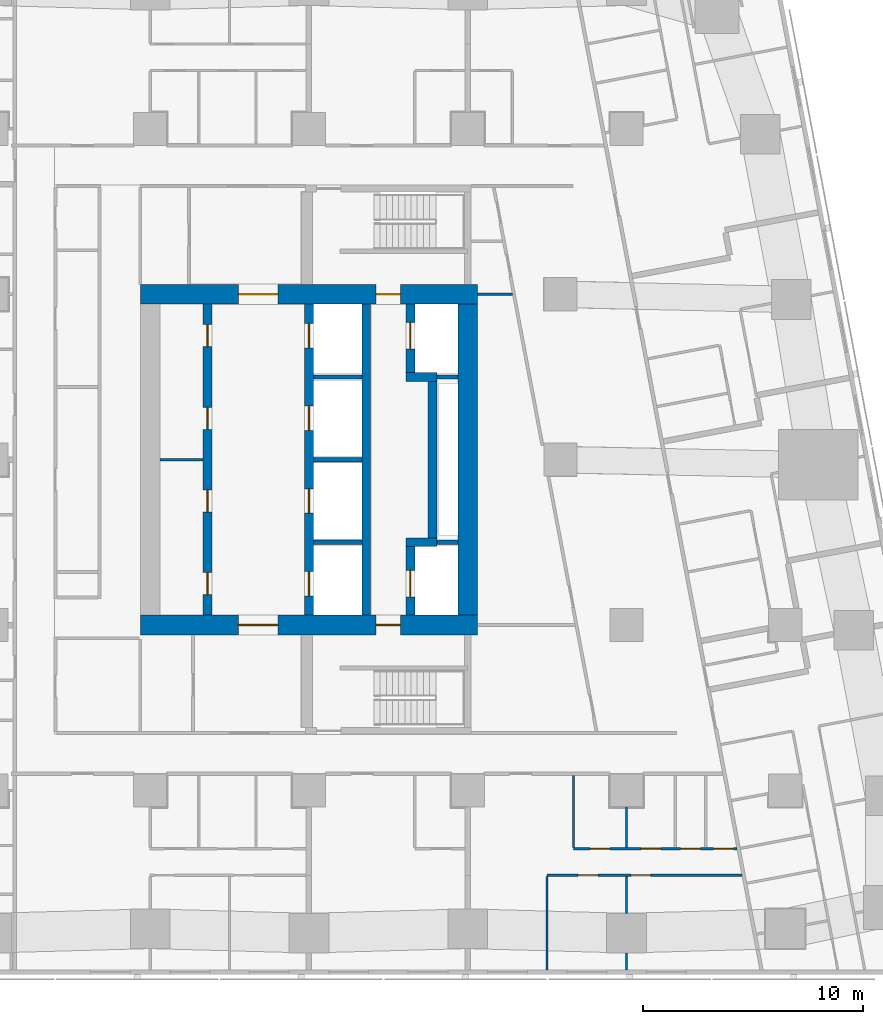
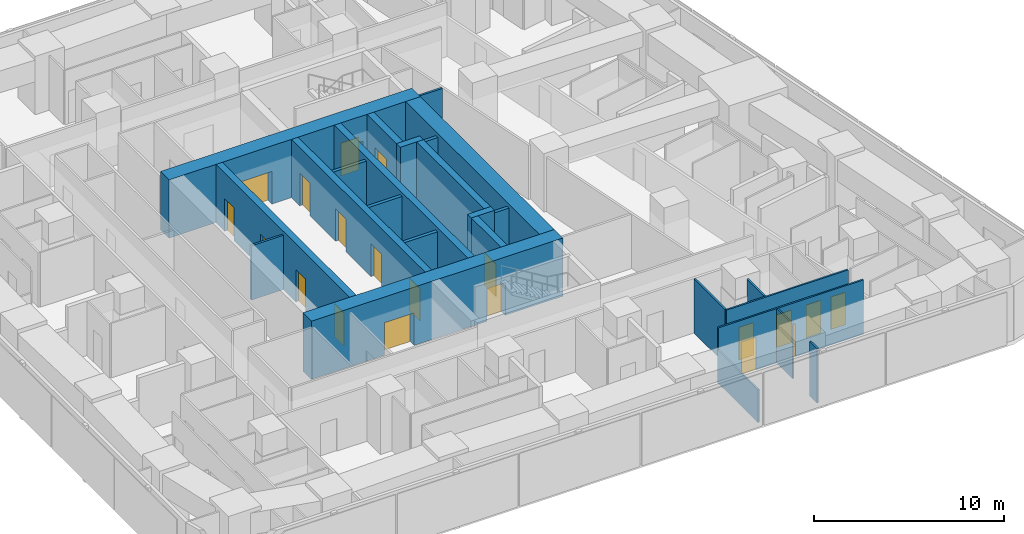
# One storey, part 5 of 15: 25 walls, 20 doors, 20 openings.
"""IFC4 building model written with IfcOpenShell, lengths in metres."""

import ifcopenshell
import ifcopenshell.guid

model = None  # the IFC model being written
_history = None  # IfcOwnerHistory: only IFC2X3 demands one
_inside = {}  # id of a spatial element -> (the spatial element, [elements in it])
_under = {}  # id of a project, library or spatial element -> (it, [spatial elements below it])
_declared = {}  # id of a project -> (the project, [libraries it declares])
_typed = {}  # id of a type object -> (the type object, [elements of that type])
_made_of = {}  # id of a material, layer set ... -> (it, [elements and type objects made of it])


def new_model(schema):
    """Start an empty IFC model of exactly this schema.

    Asked for "IFC4X3", IfcOpenShell would pick the latest addendum, in which some entities
    have other attributes; the version numbers below select the first issue.
    IFC2X3 requires an IfcOwnerHistory on every rooted entity: one is made here for all.
    """
    global model, _history
    if schema == "IFC4X3":
        model = ifcopenshell.file(schema_version=(4, 3, 0, 0))
    else:
        model = ifcopenshell.file(schema=schema)
    _inside.clear()
    _under.clear()
    _declared.clear()
    _typed.clear()
    _made_of.clear()
    _history = None
    if model.schema == "IFC2X3":
        org = make("IfcOrganization", Name="unknown")
        user = make(
            "IfcPersonAndOrganization",
            ThePerson=make("IfcPerson", FamilyName="unknown"),
            TheOrganization=org,
        )
        app = make(
            "IfcApplication",
            ApplicationDeveloper=org,
            Version="unknown",
            ApplicationFullName="unknown",
            ApplicationIdentifier="unknown",
        )
        _history = make(
            "IfcOwnerHistory",
            OwningUser=user,
            OwningApplication=app,
            ChangeAction="ADDED",
            CreationDate=0,
        )
    return model


def make(cls, **values):
    """One entity of the class cls with the attributes given. An attribute that is None is left unset."""
    return model.create_entity(
        cls, **{name: value for name, value in values.items() if value is not None}
    )


def rooted(cls, **values):
    """An entity with a GlobalId (a new one), such as an element, a storey or a relation."""
    return make(cls, GlobalId=ifcopenshell.guid.new(), OwnerHistory=_history, **values)


def si_unit(unit_type, name, prefix=None):
    """IfcSIUnit, for example si_unit("LENGTHUNIT", "METRE", prefix="MILLI")."""
    return make("IfcSIUnit", UnitType=unit_type, Prefix=prefix, Name=name)


def assignment(units):
    """IfcUnitAssignment: the units of a project."""
    return None if units is None else make("IfcUnitAssignment", Units=units)


def point(xyz):
    """IfcCartesianPoint."""
    return None if xyz is None else make("IfcCartesianPoint", Coordinates=xyz)


def direction(xyz):
    """IfcDirection."""
    return None if xyz is None else make("IfcDirection", DirectionRatios=xyz)


def frame(location, z_axis=None, x_axis=None):
    """IfcAxis2Placement3D, a coordinate frame: its origin and axes. An axis left out is left unset."""
    return make(
        "IfcAxis2Placement3D",
        Location=point(location),
        Axis=direction(z_axis),
        RefDirection=direction(x_axis),
    )


def frame_2d(location, x_axis=None):
    """IfcAxis2Placement2D, a coordinate frame in the plane: its origin and x axis."""
    return make(
        "IfcAxis2Placement2D", Location=point(location), RefDirection=direction(x_axis)
    )


def origin():
    """The frame at (0, 0, 0) with its axes left unset."""
    return frame((0.0, 0.0, 0.0))


def place(relative_to, where):
    """IfcLocalPlacement: puts the frame where relative to a parent placement (None: the world)."""
    return make(
        "IfcLocalPlacement", PlacementRelTo=relative_to, RelativePlacement=where
    )


def context(
    kind, dimensions, precision=None, world=None, true_north=None, identifier=None
):
    """IfcGeometricRepresentationContext, for example the 3D "Model" context."""
    return make(
        "IfcGeometricRepresentationContext",
        ContextIdentifier=identifier,
        ContextType=kind,
        CoordinateSpaceDimension=dimensions,
        Precision=precision,
        WorldCoordinateSystem=world,
        TrueNorth=true_north,
    )


def subcontext(parent, identifier, kind, view, scale=None):
    """IfcGeometricRepresentationSubContext, for example "Body" below "Model"."""
    return make(
        "IfcGeometricRepresentationSubContext",
        ContextIdentifier=identifier,
        ContextType=kind,
        ParentContext=parent,
        TargetScale=scale,
        TargetView=view,
    )


def project(units=None, contexts=None):
    """IfcProject with its units and contexts."""
    return rooted(
        "IfcProject",
        Name="project",
        RepresentationContexts=contexts,
        UnitsInContext=assignment(units),
    )


def spatial(cls, under=None, at=None, **own):
    """A site, building, storey or space (cls), placed at a placement, below another one or the project."""
    s = rooted(cls, ObjectPlacement=at, **own)
    if under is not None:
        _under.setdefault(under.id(), (under, []))[1].append(s)
    return s


def profile(cls, at=None, kind="AREA", **sizes):
    """A parametric profile (cls). Its sizes go by their IFC names, for example OverallWidth=200.0."""
    return make(cls, ProfileType=kind, Position=at, **sizes)


def rectangle(**sizes):
    """IfcRectangleProfileDef."""
    return profile("IfcRectangleProfileDef", **sizes)


def extrude(swept, where, along, depth):
    """IfcExtrudedAreaSolid: the profile swept, set in the frame where, extruded along a direction by depth."""
    return make(
        "IfcExtrudedAreaSolid",
        SweptArea=swept,
        Position=where,
        ExtrudedDirection=direction(along),
        Depth=depth,
    )


def shape(context_of_items, identifier, shape_type, items):
    """IfcShapeRepresentation: the items that make up one representation, for example the "Body"."""
    return make(
        "IfcShapeRepresentation",
        ContextOfItems=context_of_items,
        RepresentationIdentifier=identifier,
        RepresentationType=shape_type,
        Items=items,
    )


def material(Name=None, Category=None):
    """IfcMaterial."""
    return make("IfcMaterial", Name=Name, Category=Category)


def layer(
    of_material, thickness, ventilated=None, Name=None, Category=None, Priority=None
):
    """IfcMaterialLayer: one layer of a wall or slab, of a material (None: an air gap)."""
    return make(
        "IfcMaterialLayer",
        Material=of_material,
        LayerThickness=thickness,
        IsVentilated=ventilated,
        Name=Name,
        Category=Category,
        Priority=Priority,
    )


def layer_set(layers, Name=None):
    """IfcMaterialLayerSet."""
    return make("IfcMaterialLayerSet", MaterialLayers=layers, LayerSetName=Name)


def made_of(thing, what):
    """Note that an element or type object is made of a material, layer set ...; save() writes the relation."""
    if what is not None:
        _made_of.setdefault(what.id(), (what, []))[1].append(thing)
    return thing


def type_object(cls, material=None, **own):
    """A type object (cls), such as IfcWallType, which elements share."""
    return made_of(rooted(cls, **own), material)


def element(
    cls,
    number,
    at=None,
    inside=None,
    cuts=None,
    type_object=None,
    material=None,
    context=None,
    identifier="Body",
    shape_type=None,
    held_by="IfcProductDefinitionShape",
    body=None,
    shapes=None,
    **own,
):
    """One element of the class cls, such as IfcWall. Its Tag is "e" and its number.

    at: its placement. inside: the storey or other place that contains it. cuts: it is an
    opening in that element (IfcRelVoidsElement). A single representation is given by context,
    identifier, shape_type and body (its items); several are given by shapes. held_by: the class
    of the entity that holds the representations. save() writes the other relations.
    """
    e = rooted(cls, Tag="e%d" % number, ObjectPlacement=at, **own)
    if body is not None:
        shapes = [shape(context, identifier, shape_type, body)]
    if shapes is not None:
        e.Representation = make(held_by, Representations=shapes)
    if inside is not None:
        _inside.setdefault(inside.id(), (inside, []))[1].append(e)
    if cuts is not None:
        rooted(
            "IfcRelVoidsElement", RelatingBuildingElement=cuts, RelatedOpeningElement=e
        )
    if type_object is not None:
        _typed.setdefault(type_object.id(), (type_object, []))[1].append(e)
    return made_of(e, material)


def fill(opening, filler):
    """IfcRelFillsElement: the door or window that sits in an opening."""
    return rooted(
        "IfcRelFillsElement",
        RelatingOpeningElement=opening,
        RelatedBuildingElement=filler,
    )


def aggregate(whole, parts):
    """IfcRelAggregates: a whole, such as a stair, and the parts it consists of."""
    return rooted("IfcRelAggregates", RelatingObject=whole, RelatedObjects=parts)


def save(model, path):
    """Write the relations noted so far, then the file.

    IfcRelAggregates (storeys below a building ...), IfcRelContainedInSpatialStructure (elements
    in a storey), IfcRelDefinesByType, IfcRelAssociatesMaterial and IfcRelDeclares: one each for
    every whole, place, type object, material and project.
    """
    for whole, parts in _under.values():
        aggregate(whole, parts)
    for where, things in _inside.values():
        rooted(
            "IfcRelContainedInSpatialStructure",
            RelatedElements=things,
            RelatingStructure=where,
        )
    for kind, things in _typed.values():
        rooted("IfcRelDefinesByType", RelatedObjects=things, RelatingType=kind)
    for what, things in _made_of.values():
        rooted("IfcRelAssociatesMaterial", RelatedObjects=things, RelatingMaterial=what)
    for by, libraries in _declared.values():
        rooted("IfcRelDeclares", RelatingContext=by, RelatedDefinitions=libraries)
    model.write(path)


model = new_model("IFC4")

# Units and contexts
model_context = context("Model", 3, precision=1e-05, world=origin(), true_north=direction((0.0, 1.0)))
body_context = subcontext(model_context, "Body", "Model", "MODEL_VIEW")
ifc_project = project(units=[si_unit("LENGTHUNIT", "METRE"), si_unit("AREAUNIT", "SQUARE_METRE"), si_unit("VOLUMEUNIT", "CUBIC_METRE"), si_unit("PLANEANGLEUNIT", "RADIAN"), si_unit("MASSUNIT", "GRAM", prefix="KILO")], contexts=[model_context])

# Site, building, storey
site_placement = place(None, origin())
site = spatial("IfcSite", under=ifc_project, at=site_placement, CompositionType="ELEMENT")
building_placement = place(site_placement, origin())
building = spatial("IfcBuilding", under=site, at=building_placement, Name="Sheger Commons Tower", CompositionType="ELEMENT")
storey_placement = place(building_placement, frame((0.0, 0.0, 173.300048828125)))
storey = spatial("IfcBuildingStorey", under=building, at=storey_placement, Name="L44", CompositionType="ELEMENT", Elevation=173.300048828125)

# Wall, openings, doors
ifc_material_1 = material(Name="Concrete C50/60", Category="concrete")
ifc_layer_1 = layer(ifc_material_1, 0.39990234375)
ifc_layer_set_1 = layer_set([ifc_layer_1], Name="CORE INNER WALL 400")
wall_type_1 = type_object("IfcWallType", Name="CORE INNER WALL 400", PredefinedType="SHEAR", material=ifc_layer_set_1)
wall_1_placement = place(storey_placement, frame((17.0, 15.449951171875, 0.0), z_axis=(0.0, 0.0, 1.0), x_axis=(0.0, 1.0, 0.0)))
wall_1 = element("IfcWall", 1, at=wall_1_placement, inside=storey, type_object=wall_type_1, Name="Core inner wall A L44", PredefinedType="SHEAR", context=body_context, shape_type="SweptSolid", body=[
    extrude(rectangle(XDim=14.10009765625, YDim=0.39990234375, at=frame_2d((7.050048828125, 0.0))), origin(), (0.0, 0.0, 1.0), 3.75),
])
opening_1_placement = place(wall_1_placement, frame((0.925048828125, 0.0, 0.0)))
opening_1 = element("IfcOpeningElement", 2, at=opening_1_placement, cuts=wall_1, Name="Opening D4", PredefinedType="OPENING", context=body_context, shape_type="SweptSolid", body=[
    extrude(rectangle(XDim=1.0, YDim=2.10009765625, at=frame_2d((0.5, 1.050048828125))), frame((0.0, 0.2099609375, 0.0), z_axis=(0.0, -1.0, 0.0), x_axis=(1.0, 0.0, 0.0)), (0.0, 0.0, 1.0), 0.419921875),
])
opening_2_placement = place(wall_1_placement, frame((4.675048828125, 0.0, 0.0)))
opening_2 = element("IfcOpeningElement", 3, at=opening_2_placement, cuts=wall_1, Name="Opening D4", PredefinedType="OPENING", context=body_context, shape_type="SweptSolid", body=[
    extrude(rectangle(XDim=1.0, YDim=2.10009765625, at=frame_2d((0.5, 1.050048828125))), frame((0.0, 0.2099609375, 0.0), z_axis=(0.0, -1.0, 0.0), x_axis=(1.0, 0.0, 0.0)), (0.0, 0.0, 1.0), 0.419921875),
])
opening_3_placement = place(wall_1_placement, frame((8.425048828125, 0.0, 0.0)))
opening_3 = element("IfcOpeningElement", 4, at=opening_3_placement, cuts=wall_1, Name="Opening D4", PredefinedType="OPENING", context=body_context, shape_type="SweptSolid", body=[
    extrude(rectangle(XDim=1.0, YDim=2.10009765625, at=frame_2d((0.5, 1.050048828125))), frame((0.0, 0.2099609375, 0.0), z_axis=(0.0, -1.0, 0.0), x_axis=(1.0, 0.0, 0.0)), (0.0, 0.0, 1.0), 0.419921875),
])
opening_4_placement = place(wall_1_placement, frame((12.175048828125, 0.0, 0.0)))
opening_4 = element("IfcOpeningElement", 5, at=opening_4_placement, cuts=wall_1, Name="Opening D4", PredefinedType="OPENING", context=body_context, shape_type="SweptSolid", body=[
    extrude(rectangle(XDim=1.0, YDim=2.10009765625, at=frame_2d((0.5, 1.050048828125))), frame((0.0, 0.2099609375, 0.0), z_axis=(0.0, -1.0, 0.0), x_axis=(1.0, 0.0, 0.0)), (0.0, 0.0, 1.0), 0.419921875),
])
ifc_material_2 = material(Name="Steel door set, fire rated", Category="steel")
door_type_1 = type_object("IfcDoorType", Name="SERVICE DOOR 1000x2100", OperationType="NOTDEFINED", PredefinedType="DOOR", material=ifc_material_2)
door_1_placement = place(opening_1_placement, origin())
door_1 = element("IfcDoor", 6, at=door_1_placement, inside=storey, type_object=door_type_1, Name="Estate store door", OperationType="SINGLE_SWING_LEFT", OverallHeight=2.10009765625, OverallWidth=1.0, PredefinedType="DOOR", context=body_context, shape_type="SweptSolid", body=[
    extrude(rectangle(XDim=1.0, YDim=2.10009765625, at=frame_2d((0.5, 1.050048828125))), frame((0.0, 0.02490234375, 0.0), z_axis=(0.0, -1.0, 0.0), x_axis=(1.0, 0.0, 0.0)), (0.0, 0.0, 1.0), 0.050048828125),
])
fill(opening_1, door_1)
door_2_placement = place(opening_2_placement, origin())
door_2 = element("IfcDoor", 7, at=door_2_placement, inside=storey, type_object=door_type_1, Name="Estate store door", OperationType="SINGLE_SWING_RIGHT", OverallHeight=2.10009765625, OverallWidth=1.0, PredefinedType="DOOR", context=body_context, shape_type="SweptSolid", body=[
    extrude(rectangle(XDim=1.0, YDim=2.10009765625, at=frame_2d((0.5, 1.050048828125))), frame((0.0, 0.02490234375, 0.0), z_axis=(0.0, -1.0, 0.0), x_axis=(1.0, 0.0, 0.0)), (0.0, 0.0, 1.0), 0.050048828125),
])
fill(opening_2, door_2)
door_3_placement = place(opening_3_placement, origin())
door_3 = element("IfcDoor", 8, at=door_3_placement, inside=storey, type_object=door_type_1, Name="Electrical switch room door", OperationType="SINGLE_SWING_LEFT", OverallHeight=2.10009765625, OverallWidth=1.0, PredefinedType="DOOR", context=body_context, shape_type="SweptSolid", body=[
    extrude(rectangle(XDim=1.0, YDim=2.10009765625, at=frame_2d((0.5, 1.050048828125))), frame((0.0, 0.02490234375, 0.0), z_axis=(0.0, -1.0, 0.0), x_axis=(1.0, 0.0, 0.0)), (0.0, 0.0, 1.0), 0.050048828125),
])
fill(opening_3, door_3)
door_4_placement = place(opening_4_placement, origin())
door_4 = element("IfcDoor", 9, at=door_4_placement, inside=storey, type_object=door_type_1, Name="Electrical switch room door", OperationType="SINGLE_SWING_RIGHT", OverallHeight=2.10009765625, OverallWidth=1.0, PredefinedType="DOOR", context=body_context, shape_type="SweptSolid", body=[
    extrude(rectangle(XDim=1.0, YDim=2.10009765625, at=frame_2d((0.5, 1.050048828125))), frame((0.0, 0.02490234375, 0.0), z_axis=(0.0, -1.0, 0.0), x_axis=(1.0, 0.0, 0.0)), (0.0, 0.0, 1.0), 0.050048828125),
])
fill(opening_4, door_4)

wall_2_placement = place(storey_placement, frame((21.60009765625, 15.449951171875, 0.0), z_axis=(0.0, 0.0, 1.0), x_axis=(0.0, 1.0, 0.0)))
wall_2 = element("IfcWall", 10, at=wall_2_placement, inside=storey, type_object=wall_type_1, Name="Core inner wall L L44", PredefinedType="SHEAR", context=body_context, shape_type="SweptSolid", body=[
    extrude(rectangle(XDim=14.10009765625, YDim=0.39990234375, at=frame_2d((7.050048828125, 0.0))), origin(), (0.0, 0.0, 1.0), 3.75),
])
opening_5_placement = place(wall_2_placement, frame((0.875, 0.0, 0.0)))
opening_5 = element("IfcOpeningElement", 11, at=opening_5_placement, cuts=wall_2, Name="Opening LD", PredefinedType="OPENING", context=body_context, shape_type="SweptSolid", body=[
    extrude(rectangle(XDim=1.10009765625, YDim=2.10009765625, at=frame_2d((0.550048828125, 1.050048828125))), frame((0.0, 0.2099609375, 0.0), z_axis=(0.0, -1.0, 0.0), x_axis=(1.0, 0.0, 0.0)), (0.0, 0.0, 1.0), 0.419921875),
])
opening_6_placement = place(wall_2_placement, frame((4.625, 0.0, 0.0)))
opening_6 = element("IfcOpeningElement", 12, at=opening_6_placement, cuts=wall_2, Name="Opening LD", PredefinedType="OPENING", context=body_context, shape_type="SweptSolid", body=[
    extrude(rectangle(XDim=1.10009765625, YDim=2.10009765625, at=frame_2d((0.550048828125, 1.050048828125))), frame((0.0, 0.2099609375, 0.0), z_axis=(0.0, -1.0, 0.0), x_axis=(1.0, 0.0, 0.0)), (0.0, 0.0, 1.0), 0.419921875),
])
opening_7_placement = place(wall_2_placement, frame((8.375, 0.0, 0.0)))
opening_7 = element("IfcOpeningElement", 13, at=opening_7_placement, cuts=wall_2, Name="Opening LD", PredefinedType="OPENING", context=body_context, shape_type="SweptSolid", body=[
    extrude(rectangle(XDim=1.10009765625, YDim=2.10009765625, at=frame_2d((0.550048828125, 1.050048828125))), frame((0.0, 0.2099609375, 0.0), z_axis=(0.0, -1.0, 0.0), x_axis=(1.0, 0.0, 0.0)), (0.0, 0.0, 1.0), 0.419921875),
])
opening_8_placement = place(wall_2_placement, frame((12.125, 0.0, 0.0)))
opening_8 = element("IfcOpeningElement", 14, at=opening_8_placement, cuts=wall_2, Name="Opening LD", PredefinedType="OPENING", context=body_context, shape_type="SweptSolid", body=[
    extrude(rectangle(XDim=1.10009765625, YDim=2.10009765625, at=frame_2d((0.550048828125, 1.050048828125))), frame((0.0, 0.2099609375, 0.0), z_axis=(0.0, -1.0, 0.0), x_axis=(1.0, 0.0, 0.0)), (0.0, 0.0, 1.0), 0.419921875),
])
ifc_material_3 = material(Name="Steel door set, fire rated", Category="steel")
door_type_2 = type_object("IfcDoorType", Name="LIFT LANDING DOOR 1100x2100", OperationType="DOUBLE_DOOR_SLIDING", PredefinedType="DOOR", material=ifc_material_3)
door_5_placement = place(opening_5_placement, origin())
door_5 = element("IfcDoor", 15, at=door_5_placement, inside=storey, type_object=door_type_2, Name="Lift LB1 landing door", OperationType="DOUBLE_DOOR_SLIDING", OverallHeight=2.10009765625, OverallWidth=1.10009765625, PredefinedType="DOOR", context=body_context, shape_type="SweptSolid", body=[
    extrude(rectangle(XDim=1.10009765625, YDim=2.10009765625, at=frame_2d((0.550048828125, 1.050048828125))), frame((0.0, 0.02490234375, 0.0), z_axis=(0.0, -1.0, 0.0), x_axis=(1.0, 0.0, 0.0)), (0.0, 0.0, 1.0), 0.050048828125),
])
fill(opening_5, door_5)
door_6_placement = place(opening_6_placement, origin())
door_6 = element("IfcDoor", 16, at=door_6_placement, inside=storey, type_object=door_type_2, Name="Lift LB2 landing door", OperationType="DOUBLE_DOOR_SLIDING", OverallHeight=2.10009765625, OverallWidth=1.10009765625, PredefinedType="DOOR", context=body_context, shape_type="SweptSolid", body=[
    extrude(rectangle(XDim=1.10009765625, YDim=2.10009765625, at=frame_2d((0.550048828125, 1.050048828125))), frame((0.0, 0.02490234375, 0.0), z_axis=(0.0, -1.0, 0.0), x_axis=(1.0, 0.0, 0.0)), (0.0, 0.0, 1.0), 0.050048828125),
])
fill(opening_6, door_6)
door_7_placement = place(opening_7_placement, origin())
door_7 = element("IfcDoor", 17, at=door_7_placement, inside=storey, type_object=door_type_2, Name="Lift LB3 landing door", OperationType="DOUBLE_DOOR_SLIDING", OverallHeight=2.10009765625, OverallWidth=1.10009765625, PredefinedType="DOOR", context=body_context, shape_type="SweptSolid", body=[
    extrude(rectangle(XDim=1.10009765625, YDim=2.10009765625, at=frame_2d((0.550048828125, 1.050048828125))), frame((0.0, 0.02490234375, 0.0), z_axis=(0.0, -1.0, 0.0), x_axis=(1.0, 0.0, 0.0)), (0.0, 0.0, 1.0), 0.050048828125),
])
fill(opening_7, door_7)
door_8_placement = place(opening_8_placement, origin())
door_8 = element("IfcDoor", 18, at=door_8_placement, inside=storey, type_object=door_type_2, Name="Lift LB4 landing door", OperationType="DOUBLE_DOOR_SLIDING", OverallHeight=2.10009765625, OverallWidth=1.10009765625, PredefinedType="DOOR", context=body_context, shape_type="SweptSolid", body=[
    extrude(rectangle(XDim=1.10009765625, YDim=2.10009765625, at=frame_2d((0.550048828125, 1.050048828125))), frame((0.0, 0.02490234375, 0.0), z_axis=(0.0, -1.0, 0.0), x_axis=(1.0, 0.0, 0.0)), (0.0, 0.0, 1.0), 0.050048828125),
])
fill(opening_8, door_8)

# Wall
wall_3_placement = place(storey_placement, frame((24.199951171875, 15.449951171875, 0.0), z_axis=(0.0, 0.0, 1.0), x_axis=(0.0, 1.0, 0.0)))
element("IfcWall", 19, at=wall_3_placement, inside=storey, type_object=wall_type_1, Name="Core inner wall B L44", PredefinedType="SHEAR", context=body_context, shape_type="SweptSolid", body=[
    extrude(rectangle(XDim=14.10009765625, YDim=0.39990234375, at=frame_2d((7.050048828125, 0.0))), origin(), (0.0, 0.0, 1.0), 3.75),
])

# Wall, opening, door
wall_4_placement = place(storey_placement, frame((26.199951171875, 15.449951171875, 0.0), z_axis=(0.0, 0.0, 1.0), x_axis=(0.0, 1.0, 0.0)))
wall_4 = element("IfcWall", 20, at=wall_4_placement, inside=storey, type_object=wall_type_1, Name="Core inner wall F L44", PredefinedType="SHEAR", context=body_context, shape_type="SweptSolid", body=[
    extrude(rectangle(XDim=3.10009765625, YDim=0.39990234375, at=frame_2d((1.550048828125, 0.0))), origin(), (0.0, 0.0, 1.0), 3.75),
])
opening_9_placement = place(wall_4_placement, frame((0.824951171875, 0.0, 0.0)))
opening_9 = element("IfcOpeningElement", 21, at=opening_9_placement, cuts=wall_4, Name="Opening LD2", PredefinedType="OPENING", context=body_context, shape_type="SweptSolid", body=[
    extrude(rectangle(XDim=1.199951171875, YDim=2.10009765625, at=frame_2d((0.60009765625, 1.050048828125))), frame((0.0, 0.2099609375, 0.0), z_axis=(0.0, -1.0, 0.0), x_axis=(1.0, 0.0, 0.0)), (0.0, 0.0, 1.0), 0.419921875),
])
ifc_material_4 = material(Name="Steel door set, fire rated", Category="steel")
door_type_3 = type_object("IfcDoorType", Name="FIREFIGHTING LIFT LANDING DOOR 1200x2100", OperationType="DOUBLE_DOOR_SLIDING", PredefinedType="DOOR", material=ifc_material_4)
door_9_placement = place(opening_9_placement, origin())
door_9 = element("IfcDoor", 22, at=door_9_placement, inside=storey, type_object=door_type_3, Name="Lift FL1 landing door", OperationType="DOUBLE_DOOR_SLIDING", OverallHeight=2.10009765625, OverallWidth=1.199951171875, PredefinedType="DOOR", context=body_context, shape_type="SweptSolid", body=[
    extrude(rectangle(XDim=1.199951171875, YDim=2.10009765625, at=frame_2d((0.60009765625, 1.050048828125))), frame((0.0, 0.02490234375, 0.0), z_axis=(0.0, -1.0, 0.0), x_axis=(1.0, 0.0, 0.0)), (0.0, 0.0, 1.0), 0.050048828125),
])
fill(opening_9, door_9)

# Walls
wall_5_placement = place(storey_placement, frame((26.0, 18.75, 0.0), z_axis=(0.0, 0.0, 1.0), x_axis=(1.0, 0.0, 0.0)))
element("IfcWall", 23, at=wall_5_placement, inside=storey, type_object=wall_type_1, Name="Core inner wall F south return L44", PredefinedType="SHEAR", context=body_context, shape_type="SweptSolid", body=[
    extrude(rectangle(XDim=1.39990234375, YDim=0.39990234375, at=frame_2d((0.699951171875, 0.0))), origin(), (0.0, 0.0, 1.0), 3.75),
])
wall_6_placement = place(storey_placement, frame((27.199951171875, 18.949951171875, 0.0), z_axis=(0.0, 0.0, 1.0), x_axis=(0.0, 1.0, 0.0)))
element("IfcWall", 24, at=wall_6_placement, inside=storey, type_object=wall_type_1, Name="Core inner wall F middle L44", PredefinedType="SHEAR", context=body_context, shape_type="SweptSolid", body=[
    extrude(rectangle(XDim=7.10009765625, YDim=0.39990234375, at=frame_2d((3.550048828125, 0.0))), origin(), (0.0, 0.0, 1.0), 3.75),
])
wall_7_placement = place(storey_placement, frame((26.0, 26.25, 0.0), z_axis=(0.0, 0.0, 1.0), x_axis=(1.0, 0.0, 0.0)))
element("IfcWall", 25, at=wall_7_placement, inside=storey, type_object=wall_type_1, Name="Core inner wall F north return L44", PredefinedType="SHEAR", context=body_context, shape_type="SweptSolid", body=[
    extrude(rectangle(XDim=1.39990234375, YDim=0.39990234375, at=frame_2d((0.699951171875, 0.0))), origin(), (0.0, 0.0, 1.0), 3.75),
])

# Wall, opening, door
wall_8_placement = place(storey_placement, frame((26.199951171875, 26.449951171875, 0.0), z_axis=(0.0, 0.0, 1.0), x_axis=(0.0, 1.0, 0.0)))
wall_8 = element("IfcWall", 26, at=wall_8_placement, inside=storey, type_object=wall_type_1, Name="Core inner wall F north L44", PredefinedType="SHEAR", context=body_context, shape_type="SweptSolid", body=[
    extrude(rectangle(XDim=3.10009765625, YDim=0.39990234375, at=frame_2d((1.550048828125, 0.0))), origin(), (0.0, 0.0, 1.0), 3.75),
])
opening_10_placement = place(wall_8_placement, frame((1.074951171875, 0.0, 0.0)))
opening_10 = element("IfcOpeningElement", 27, at=opening_10_placement, cuts=wall_8, Name="Opening LD2", PredefinedType="OPENING", context=body_context, shape_type="SweptSolid", body=[
    extrude(rectangle(XDim=1.199951171875, YDim=2.10009765625, at=frame_2d((0.60009765625, 1.050048828125))), frame((0.0, 0.2099609375, 0.0), z_axis=(0.0, -1.0, 0.0), x_axis=(1.0, 0.0, 0.0)), (0.0, 0.0, 1.0), 0.419921875),
])
door_10_placement = place(opening_10_placement, origin())
door_10 = element("IfcDoor", 28, at=door_10_placement, inside=storey, type_object=door_type_3, Name="Lift FL2 landing door", OperationType="DOUBLE_DOOR_SLIDING", OverallHeight=2.10009765625, OverallWidth=1.199951171875, PredefinedType="DOOR", context=body_context, shape_type="SweptSolid", body=[
    extrude(rectangle(XDim=1.199951171875, YDim=2.10009765625, at=frame_2d((0.60009765625, 1.050048828125))), frame((0.0, 0.02490234375, 0.0), z_axis=(0.0, -1.0, 0.0), x_axis=(1.0, 0.0, 0.0)), (0.0, 0.0, 1.0), 0.050048828125),
])
fill(opening_10, door_10)

# Wall, openings, doors
ifc_material_5 = material(Name="Concrete C50/60", Category="concrete")
ifc_layer_2 = layer(ifc_material_5, 0.89990234375)
ifc_layer_set_2 = layer_set([ifc_layer_2], Name="CORE WALL 900")
wall_type_2 = type_object("IfcWallType", Name="CORE WALL 900", PredefinedType="SHEAR", material=ifc_layer_set_2)
wall_9_placement = place(storey_placement, frame((13.949951171875, 15.0, 0.0), z_axis=(0.0, 0.0, 1.0), x_axis=(1.0, 0.0, 0.0)))
wall_9 = element("IfcWall", 29, at=wall_9_placement, inside=storey, type_object=wall_type_2, Name="Core wall south L44", PredefinedType="SHEAR", context=body_context, shape_type="SweptSolid", body=[
    extrude(rectangle(XDim=15.300048828125, YDim=0.89990234375, at=frame_2d((7.64990234375, 0.0))), origin(), (0.0, 0.0, 1.0), 3.75),
])
opening_11_placement = place(wall_9_placement, frame((4.449951171875, 0.0, 0.0)))
opening_11 = element("IfcOpeningElement", 30, at=opening_11_placement, cuts=wall_9, Name="Opening D6", PredefinedType="OPENING", context=body_context, shape_type="SweptSolid", body=[
    extrude(rectangle(XDim=1.800048828125, YDim=2.10009765625, at=frame_2d((0.89990234375, 1.050048828125))), frame((0.0, 0.4599609375, 0.0), z_axis=(0.0, -1.0, 0.0), x_axis=(1.0, 0.0, 0.0)), (0.0, 0.0, 1.0), 0.919921875),
])
opening_12_placement = place(wall_9_placement, frame((10.699951171875, 0.0, 0.0)))
opening_12 = element("IfcOpeningElement", 31, at=opening_12_placement, cuts=wall_9, Name="Opening D5", PredefinedType="OPENING", context=body_context, shape_type="SweptSolid", body=[
    extrude(rectangle(XDim=1.10009765625, YDim=2.10009765625, at=frame_2d((0.550048828125, 1.050048828125))), frame((0.0, 0.4599609375, 0.0), z_axis=(0.0, -1.0, 0.0), x_axis=(1.0, 0.0, 0.0)), (0.0, 0.0, 1.0), 0.919921875),
])
ifc_material_6 = material(Name="Steel door set, fire rated", Category="steel")
door_type_4 = type_object("IfcDoorType", Name="LOBBY DOUBLE DOOR 1800x2100", OperationType="DOUBLE_DOOR_SINGLE_SWING", PredefinedType="DOOR", material=ifc_material_6)
door_11_placement = place(opening_11_placement, origin())
door_11 = element("IfcDoor", 32, at=door_11_placement, inside=storey, type_object=door_type_4, Name="Lift lobby door", OperationType="DOUBLE_DOOR_SINGLE_SWING", OverallHeight=2.10009765625, OverallWidth=1.800048828125, PredefinedType="DOOR", context=body_context, shape_type="SweptSolid", body=[
    extrude(rectangle(XDim=1.800048828125, YDim=2.10009765625, at=frame_2d((0.89990234375, 1.050048828125))), frame((0.0, 0.02490234375, 0.0), z_axis=(0.0, -1.0, 0.0), x_axis=(1.0, 0.0, 0.0)), (0.0, 0.0, 1.0), 0.050048828125),
])
fill(opening_11, door_11)
ifc_material_7 = material(Name="Steel door set, fire rated", Category="steel")
door_type_5 = type_object("IfcDoorType", Name="STAIR DOOR 1100x2100", OperationType="NOTDEFINED", PredefinedType="DOOR", material=ifc_material_7)
door_12_placement = place(opening_12_placement, origin())
door_12 = element("IfcDoor", 33, at=door_12_placement, inside=storey, type_object=door_type_5, Name="Fire-fighting lobby door", OperationType="SINGLE_SWING_RIGHT", OverallHeight=2.10009765625, OverallWidth=1.10009765625, PredefinedType="DOOR", context=body_context, shape_type="SweptSolid", body=[
    extrude(rectangle(XDim=1.10009765625, YDim=2.10009765625, at=frame_2d((0.550048828125, 1.050048828125))), frame((0.0, 0.02490234375, 0.0), z_axis=(0.0, -1.0, 0.0), x_axis=(1.0, 0.0, 0.0)), (0.0, 0.0, 1.0), 0.050048828125),
])
fill(opening_12, door_12)

wall_10_placement = place(storey_placement, frame((13.949951171875, 30.0, 0.0), z_axis=(0.0, 0.0, 1.0), x_axis=(1.0, 0.0, 0.0)))
wall_10 = element("IfcWall", 34, at=wall_10_placement, inside=storey, type_object=wall_type_2, Name="Core wall north L44", PredefinedType="SHEAR", context=body_context, shape_type="SweptSolid", body=[
    extrude(rectangle(XDim=15.300048828125, YDim=0.89990234375, at=frame_2d((7.64990234375, 0.0))), origin(), (0.0, 0.0, 1.0), 3.75),
])
opening_13_placement = place(wall_10_placement, frame((4.449951171875, 0.0, 0.0)))
opening_13 = element("IfcOpeningElement", 35, at=opening_13_placement, cuts=wall_10, Name="Opening D6", PredefinedType="OPENING", context=body_context, shape_type="SweptSolid", body=[
    extrude(rectangle(XDim=1.800048828125, YDim=2.10009765625, at=frame_2d((0.89990234375, 1.050048828125))), frame((0.0, 0.4599609375, 0.0), z_axis=(0.0, -1.0, 0.0), x_axis=(1.0, 0.0, 0.0)), (0.0, 0.0, 1.0), 0.919921875),
])
opening_14_placement = place(wall_10_placement, frame((10.699951171875, 0.0, 0.0)))
opening_14 = element("IfcOpeningElement", 36, at=opening_14_placement, cuts=wall_10, Name="Opening D5", PredefinedType="OPENING", context=body_context, shape_type="SweptSolid", body=[
    extrude(rectangle(XDim=1.10009765625, YDim=2.10009765625, at=frame_2d((0.550048828125, 1.050048828125))), frame((0.0, 0.4599609375, 0.0), z_axis=(0.0, -1.0, 0.0), x_axis=(1.0, 0.0, 0.0)), (0.0, 0.0, 1.0), 0.919921875),
])
door_13_placement = place(opening_13_placement, origin())
door_13 = element("IfcDoor", 37, at=door_13_placement, inside=storey, type_object=door_type_4, Name="Lift lobby door", OperationType="DOUBLE_DOOR_SINGLE_SWING", OverallHeight=2.10009765625, OverallWidth=1.800048828125, PredefinedType="DOOR", context=body_context, shape_type="SweptSolid", body=[
    extrude(rectangle(XDim=1.800048828125, YDim=2.10009765625, at=frame_2d((0.89990234375, 1.050048828125))), frame((0.0, 0.02490234375, 0.0), z_axis=(0.0, -1.0, 0.0), x_axis=(1.0, 0.0, 0.0)), (0.0, 0.0, 1.0), 0.050048828125),
])
fill(opening_13, door_13)
door_14_placement = place(opening_14_placement, origin())
door_14 = element("IfcDoor", 38, at=door_14_placement, inside=storey, type_object=door_type_5, Name="Fire-fighting lobby door", OperationType="SINGLE_SWING_RIGHT", OverallHeight=2.10009765625, OverallWidth=1.10009765625, PredefinedType="DOOR", context=body_context, shape_type="SweptSolid", body=[
    extrude(rectangle(XDim=1.10009765625, YDim=2.10009765625, at=frame_2d((0.550048828125, 1.050048828125))), frame((0.0, 0.02490234375, 0.0), z_axis=(0.0, -1.0, 0.0), x_axis=(1.0, 0.0, 0.0)), (0.0, 0.0, 1.0), 0.050048828125),
])
fill(opening_14, door_14)

# Wall
wall_11_placement = place(storey_placement, frame((28.800048828125, 15.449951171875, 0.0), z_axis=(0.0, 0.0, 1.0), x_axis=(0.0, 1.0, 0.0)))
element("IfcWall", 39, at=wall_11_placement, inside=storey, type_object=wall_type_2, Name="Core wall east L44", PredefinedType="SHEAR", context=body_context, shape_type="SweptSolid", body=[
    extrude(rectangle(XDim=14.10009765625, YDim=0.89990234375, at=frame_2d((7.050048828125, 0.0))), origin(), (0.0, 0.0, 1.0), 3.75),
])

# Wall, openings, doors
ifc_material_8 = material(Name="Gypsum board on steel studs", Category="steel")
ifc_layer_3 = layer(ifc_material_8, 0.10009765625)
ifc_layer_set_3 = layer_set([ifc_layer_3], Name="PARTITION 100")
wall_type_3 = type_object("IfcWallType", Name="PARTITION 100", PredefinedType="PARTITIONING", material=ifc_layer_set_3)
wall_12_placement = place(storey_placement, frame((41.22900390625, 3.64990234375, 0.0), z_axis=(0.0, 0.0, 1.0), x_axis=(-1.0, 0.0, 0.0)))
wall_12 = element("IfcWall", 40, at=wall_12_placement, inside=storey, type_object=wall_type_3, Name="Partition L44", PredefinedType="PARTITIONING", context=body_context, shape_type="SweptSolid", body=[
    extrude(rectangle(XDim=8.8291015625, YDim=0.10009765625, at=frame_2d((4.41455078125, 0.0))), origin(), (0.0, 0.0, 1.0), 3.5),
])
opening_15_placement = place(wall_12_placement, frame((6.530029296875, 0.0, 0.0)))
opening_15 = element("IfcOpeningElement", 41, at=opening_15_placement, cuts=wall_12, Name="Opening D2", PredefinedType="OPENING", context=body_context, shape_type="SweptSolid", body=[
    extrude(rectangle(XDim=0.89990234375, YDim=2.10009765625, at=frame_2d((0.449951171875, 1.050048828125))), frame((0.0, 0.06005859375, 0.0), z_axis=(0.0, -1.0, 0.0), x_axis=(1.0, 0.0, 0.0)), (0.0, 0.0, 1.0), 0.1201171875),
])
opening_16_placement = place(wall_12_placement, frame((4.12890625, 0.0, 0.0)))
opening_16 = element("IfcOpeningElement", 42, at=opening_16_placement, cuts=wall_12, Name="Opening D2", PredefinedType="OPENING", context=body_context, shape_type="SweptSolid", body=[
    extrude(rectangle(XDim=0.89990234375, YDim=2.10009765625, at=frame_2d((0.449951171875, 1.050048828125))), frame((0.0, 0.06005859375, 0.0), z_axis=(0.0, -1.0, 0.0), x_axis=(1.0, 0.0, 0.0)), (0.0, 0.0, 1.0), 0.1201171875),
])
ifc_material_9 = material(Name="Timber door set", Category="wood")
door_type_6 = type_object("IfcDoorType", Name="INTERNAL DOOR 900x2100", OperationType="NOTDEFINED", PredefinedType="DOOR", material=ifc_material_9)
door_15_placement = place(opening_15_placement, origin())
door_15 = element("IfcDoor", 43, at=door_15_placement, inside=storey, type_object=door_type_6, Name="Main bedroom door", OperationType="SINGLE_SWING_RIGHT", OverallHeight=2.10009765625, OverallWidth=0.89990234375, PredefinedType="DOOR", context=body_context, shape_type="SweptSolid", body=[
    extrude(rectangle(XDim=0.89990234375, YDim=2.10009765625, at=frame_2d((0.449951171875, 1.050048828125))), frame((0.0, 0.02490234375, 0.0), z_axis=(0.0, -1.0, 0.0), x_axis=(1.0, 0.0, 0.0)), (0.0, 0.0, 1.0), 0.050048828125),
])
fill(opening_15, door_15)
door_16_placement = place(opening_16_placement, origin())
door_16 = element("IfcDoor", 44, at=door_16_placement, inside=storey, type_object=door_type_6, Name="Bedroom 2 door", OperationType="SINGLE_SWING_RIGHT", OverallHeight=2.10009765625, OverallWidth=0.89990234375, PredefinedType="DOOR", context=body_context, shape_type="SweptSolid", body=[
    extrude(rectangle(XDim=0.89990234375, YDim=2.10009765625, at=frame_2d((0.449951171875, 1.050048828125))), frame((0.0, 0.02490234375, 0.0), z_axis=(0.0, -1.0, 0.0), x_axis=(1.0, 0.0, 0.0)), (0.0, 0.0, 1.0), 0.050048828125),
])
fill(opening_16, door_16)

wall_13_placement = place(storey_placement, frame((41.001953125, 4.85009765625, 0.0), z_axis=(0.0, 0.0, 1.0), x_axis=(-1.0, 0.0, 0.0)))
wall_13 = element("IfcWall", 45, at=wall_13_placement, inside=storey, type_object=wall_type_3, Name="Partition L44", PredefinedType="PARTITIONING", context=body_context, shape_type="SweptSolid", body=[
    extrude(rectangle(XDim=7.40283203125, YDim=0.10009765625, at=frame_2d((3.701416015625, 0.0))), origin(), (0.0, 0.0, 1.0), 3.5),
])
opening_17_placement = place(wall_13_placement, frame((5.7529296875, 0.0, 0.0)))
opening_17 = element("IfcOpeningElement", 46, at=opening_17_placement, cuts=wall_13, Name="Opening D2", PredefinedType="OPENING", context=body_context, shape_type="SweptSolid", body=[
    extrude(rectangle(XDim=0.89990234375, YDim=2.10009765625, at=frame_2d((0.449951171875, 1.050048828125))), frame((0.0, 0.06005859375, 0.0), z_axis=(0.0, -1.0, 0.0), x_axis=(1.0, 0.0, 0.0)), (0.0, 0.0, 1.0), 0.1201171875),
])
opening_18_placement = place(wall_13_placement, frame((3.447021484375, 0.0, 0.0)))
opening_18 = element("IfcOpeningElement", 47, at=opening_18_placement, cuts=wall_13, Name="Opening D2", PredefinedType="OPENING", context=body_context, shape_type="SweptSolid", body=[
    extrude(rectangle(XDim=0.89990234375, YDim=2.10009765625, at=frame_2d((0.449951171875, 1.050048828125))), frame((0.0, 0.06005859375, 0.0), z_axis=(0.0, -1.0, 0.0), x_axis=(1.0, 0.0, 0.0)), (0.0, 0.0, 1.0), 0.1201171875),
])
opening_19_placement = place(wall_13_placement, frame((0.14990234375, 0.0, 0.0)))
opening_19 = element("IfcOpeningElement", 48, at=opening_19_placement, cuts=wall_13, Name="Opening D2", PredefinedType="OPENING", context=body_context, shape_type="SweptSolid", body=[
    extrude(rectangle(XDim=0.89990234375, YDim=2.10009765625, at=frame_2d((0.449951171875, 1.050048828125))), frame((0.0, 0.06005859375, 0.0), z_axis=(0.0, -1.0, 0.0), x_axis=(1.0, 0.0, 0.0)), (0.0, 0.0, 1.0), 0.1201171875),
])
opening_20_placement = place(wall_13_placement, frame((1.64697265625, 0.0, 0.0)))
opening_20 = element("IfcOpeningElement", 49, at=opening_20_placement, cuts=wall_13, Name="Opening D2", PredefinedType="OPENING", context=body_context, shape_type="SweptSolid", body=[
    extrude(rectangle(XDim=0.89990234375, YDim=2.10009765625, at=frame_2d((0.449951171875, 1.050048828125))), frame((0.0, 0.06005859375, 0.0), z_axis=(0.0, -1.0, 0.0), x_axis=(1.0, 0.0, 0.0)), (0.0, 0.0, 1.0), 0.1201171875),
])
door_17_placement = place(opening_17_placement, origin())
door_17 = element("IfcDoor", 50, at=door_17_placement, inside=storey, type_object=door_type_6, Name="Laundry room door", OperationType="SINGLE_SWING_LEFT", OverallHeight=2.10009765625, OverallWidth=0.89990234375, PredefinedType="DOOR", context=body_context, shape_type="SweptSolid", body=[
    extrude(rectangle(XDim=0.89990234375, YDim=2.10009765625, at=frame_2d((0.449951171875, 1.050048828125))), frame((0.0, 0.02490234375, 0.0), z_axis=(0.0, -1.0, 0.0), x_axis=(1.0, 0.0, 0.0)), (0.0, 0.0, 1.0), 0.050048828125),
])
fill(opening_17, door_17)
door_18_placement = place(opening_18_placement, origin())
door_18 = element("IfcDoor", 51, at=door_18_placement, inside=storey, type_object=door_type_6, Name="Bathroom door", OperationType="SINGLE_SWING_RIGHT", OverallHeight=2.10009765625, OverallWidth=0.89990234375, PredefinedType="DOOR", context=body_context, shape_type="SweptSolid", body=[
    extrude(rectangle(XDim=0.89990234375, YDim=2.10009765625, at=frame_2d((0.449951171875, 1.050048828125))), frame((0.0, 0.02490234375, 0.0), z_axis=(0.0, -1.0, 0.0), x_axis=(1.0, 0.0, 0.0)), (0.0, 0.0, 1.0), 0.050048828125),
])
fill(opening_18, door_18)
door_19_placement = place(opening_19_placement, origin())
door_19 = element("IfcDoor", 52, at=door_19_placement, inside=storey, type_object=door_type_6, Name="Laundry room door", OperationType="SINGLE_SWING_RIGHT", OverallHeight=2.10009765625, OverallWidth=0.89990234375, PredefinedType="DOOR", context=body_context, shape_type="SweptSolid", body=[
    extrude(rectangle(XDim=0.89990234375, YDim=2.10009765625, at=frame_2d((0.449951171875, 1.050048828125))), frame((0.0, 0.02490234375, 0.0), z_axis=(0.0, -1.0, 0.0), x_axis=(1.0, 0.0, 0.0)), (0.0, 0.0, 1.0), 0.050048828125),
])
fill(opening_19, door_19)
door_20_placement = place(opening_20_placement, origin())
door_20 = element("IfcDoor", 53, at=door_20_placement, inside=storey, type_object=door_type_6, Name="Store door", OperationType="SINGLE_SWING_LEFT", OverallHeight=2.10009765625, OverallWidth=0.89990234375, PredefinedType="DOOR", context=body_context, shape_type="SweptSolid", body=[
    extrude(rectangle(XDim=0.89990234375, YDim=2.10009765625, at=frame_2d((0.449951171875, 1.050048828125))), frame((0.0, 0.02490234375, 0.0), z_axis=(0.0, -1.0, 0.0), x_axis=(1.0, 0.0, 0.0)), (0.0, 0.0, 1.0), 0.050048828125),
])
fill(opening_20, door_20)

# Walls
wall_14_placement = place(storey_placement, frame((32.39990234375, -0.64990234375, 0.0), z_axis=(0.0, 0.0, 1.0), x_axis=(0.0, 1.0, 0.0)))
element("IfcWall", 54, at=wall_14_placement, inside=storey, type_object=wall_type_3, Name="Partition L44", PredefinedType="PARTITIONING", context=body_context, shape_type="SweptSolid", body=[
    extrude(rectangle(XDim=4.25, YDim=0.10009765625, at=frame_2d((2.125, 0.0))), origin(), (0.0, 0.0, 1.0), 2.099853515625),
])
wall_15_placement = place(storey_placement, frame((36.0, -0.64990234375, 0.0), z_axis=(0.0, 0.0, 1.0), x_axis=(0.0, 1.0, 0.0)))
element("IfcWall", 55, at=wall_15_placement, inside=storey, type_object=wall_type_3, Name="Partition L44", PredefinedType="PARTITIONING", context=body_context, shape_type="SweptSolid", body=[
    extrude(rectangle(XDim=0.77392578125, YDim=0.10009765625, at=frame_2d((0.386962890625, 0.0))), origin(), (0.0, 0.0, 1.0), 3.5),
])
wall_16_placement = place(storey_placement, frame((36.0, 1.926025390625, 0.0), z_axis=(0.0, 0.0, 1.0), x_axis=(0.0, 1.0, 0.0)))
element("IfcWall", 56, at=wall_16_placement, inside=storey, type_object=wall_type_3, Name="Partition L44", PredefinedType="PARTITIONING", context=body_context, shape_type="SweptSolid", body=[
    extrude(rectangle(XDim=1.674072265625, YDim=0.10009765625, at=frame_2d((0.8369140625, 0.0))), origin(), (0.0, 0.0, 1.0), 3.5),
])
wall_17_placement = place(storey_placement, frame((33.59912109375, 4.89990234375, 0.0), z_axis=(0.0, 0.0, 1.0), x_axis=(0.0, 1.0, 0.0)))
element("IfcWall", 57, at=wall_17_placement, inside=storey, type_object=wall_type_3, Name="Partition L44", PredefinedType="PARTITIONING", context=body_context, shape_type="SweptSolid", body=[
    extrude(rectangle(XDim=3.275146484375, YDim=0.10009765625, at=frame_2d((1.6376953125, 0.0))), origin(), (0.0, 0.0, 1.0), 3.5),
])
wall_18_placement = place(storey_placement, frame((36.0, 4.89990234375, 0.0), z_axis=(0.0, 0.0, 1.0), x_axis=(0.0, 1.0, 0.0)))
element("IfcWall", 58, at=wall_18_placement, inside=storey, type_object=wall_type_3, Name="Partition L44", PredefinedType="PARTITIONING", context=body_context, shape_type="SweptSolid", body=[
    extrude(rectangle(XDim=1.84912109375, YDim=0.10009765625, at=frame_2d((0.924560546875, 0.0))), origin(), (0.0, 0.0, 1.0), 3.5),
])
ifc_material_10 = material(Name="Gypsum board on steel studs, two layers each side, fire rated", Category="steel")
ifc_layer_4 = layer(ifc_material_10, 0.125)
ifc_layer_set_4 = layer_set([ifc_layer_4], Name="SERVICE WALL 125")
wall_type_4 = type_object("IfcWallType", Name="SERVICE WALL 125", PredefinedType="PARTITIONING", material=ifc_layer_set_4)
wall_19_placement = place(storey_placement, frame((29.25, 30.0, 0.0), z_axis=(0.0, 0.0, 1.0), x_axis=(1.0, 0.0, 0.0)))
element("IfcWall", 59, at=wall_19_placement, inside=storey, type_object=wall_type_4, Name="Service room wall L44", PredefinedType="PARTITIONING", context=body_context, shape_type="SweptSolid", body=[
    extrude(rectangle(XDim=1.5791015625, YDim=0.125, at=frame_2d((0.78955078125, 0.0))), origin(), (0.0, 0.0, 1.0), 3.5),
])
wall_20_placement = place(storey_placement, frame((14.85009765625, 22.5, 0.0), z_axis=(0.0, 0.0, 1.0), x_axis=(1.0, 0.0, 0.0)))
element("IfcWall", 60, at=wall_20_placement, inside=storey, type_object=wall_type_4, Name="Service room wall L44", PredefinedType="PARTITIONING", context=body_context, shape_type="SweptSolid", body=[
    extrude(rectangle(XDim=1.949951171875, YDim=0.125, at=frame_2d((0.97509765625, 0.0))), origin(), (0.0, 0.0, 1.0), 3.5),
])
ifc_material_11 = material(Name="Hollow concrete block masonry", Category="masonry")
ifc_layer_5 = layer(ifc_material_11, 0.199951171875)
ifc_layer_set_5 = layer_set([ifc_layer_5], Name="SHAFT WALL 200")
wall_type_5 = type_object("IfcWallType", Name="SHAFT WALL 200", PredefinedType="SOLIDWALL", material=ifc_layer_set_5)
for number, where, z_axis, x_axis, name in (
    (61, (21.800048828125, 18.75, 0.0), (0.0, 0.0, 1.0), (1.0, 0.0, 0.0), "Lift shaft wall L44"),
    (62, (21.800048828125, 22.5, 0.0), (0.0, 0.0, 1.0), (1.0, 0.0, 0.0), "Lift shaft wall L44"),
    (63, (21.800048828125, 26.25, 0.0), (0.0, 0.0, 1.0), (1.0, 0.0, 0.0), "Lift shaft wall L44"),
):
    element("IfcWall", number, at=place(storey_placement, frame(where, z_axis=z_axis, x_axis=x_axis)), inside=storey, type_object=wall_type_5, Name=name, PredefinedType="SOLIDWALL", context=body_context, shape_type="SweptSolid", body=[
        extrude(rectangle(XDim=2.199951171875, YDim=0.199951171875, at=frame_2d((1.10009765625, 0.0))), origin(), (0.0, 0.0, 1.0), 3.5),
    ])
for number, where, z_axis, x_axis, name in (
    (64, (27.39990234375, 18.75, 0.0), (0.0, 0.0, 1.0), (1.0, 0.0, 0.0), "Lift shaft wall L44"),
    (65, (27.39990234375, 26.25, 0.0), (0.0, 0.0, 1.0), (1.0, 0.0, 0.0), "Lift shaft wall L44"),
):
    element("IfcWall", number, at=place(storey_placement, frame(where, z_axis=z_axis, x_axis=x_axis)), inside=storey, type_object=wall_type_5, Name=name, PredefinedType="SOLIDWALL", context=body_context, shape_type="SweptSolid", body=[
        extrude(rectangle(XDim=0.9501953125, YDim=0.199951171875, at=frame_2d((0.47509765625, 0.0))), origin(), (0.0, 0.0, 1.0), 3.5),
    ])

save(model, "model.ifc")
